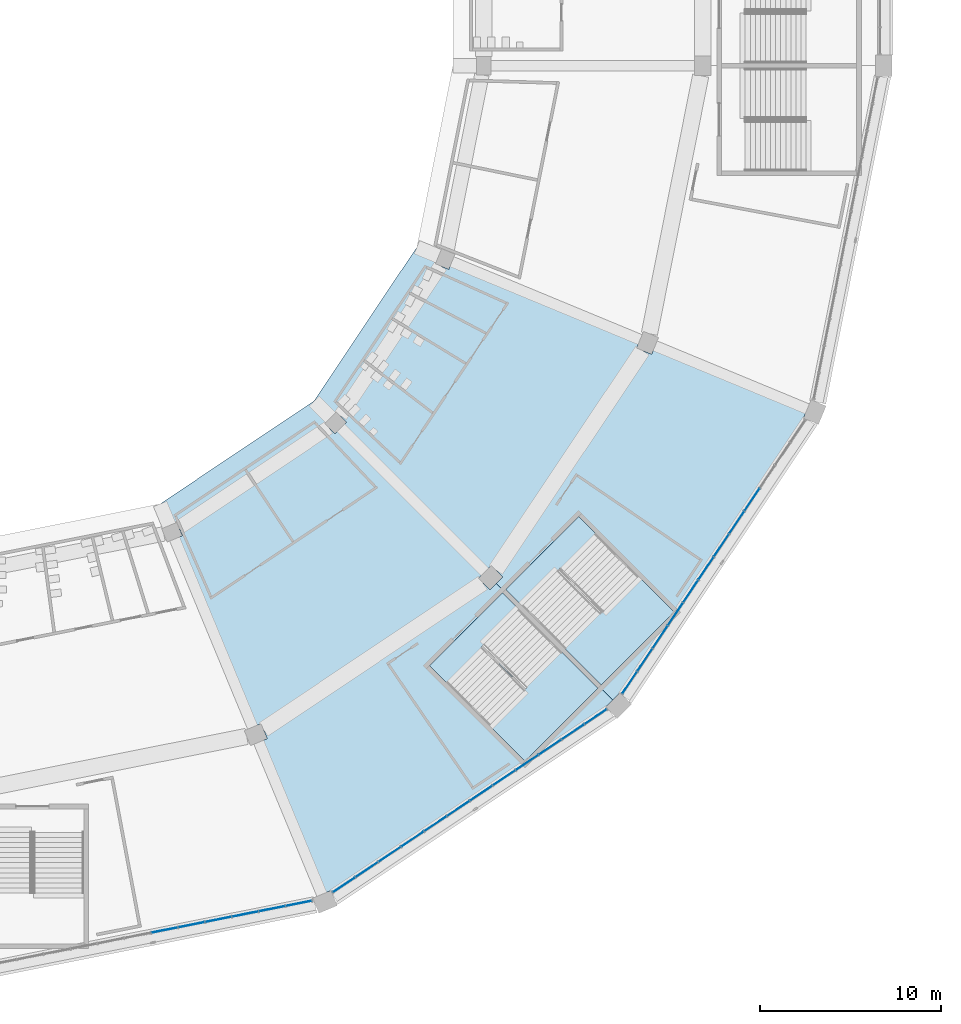
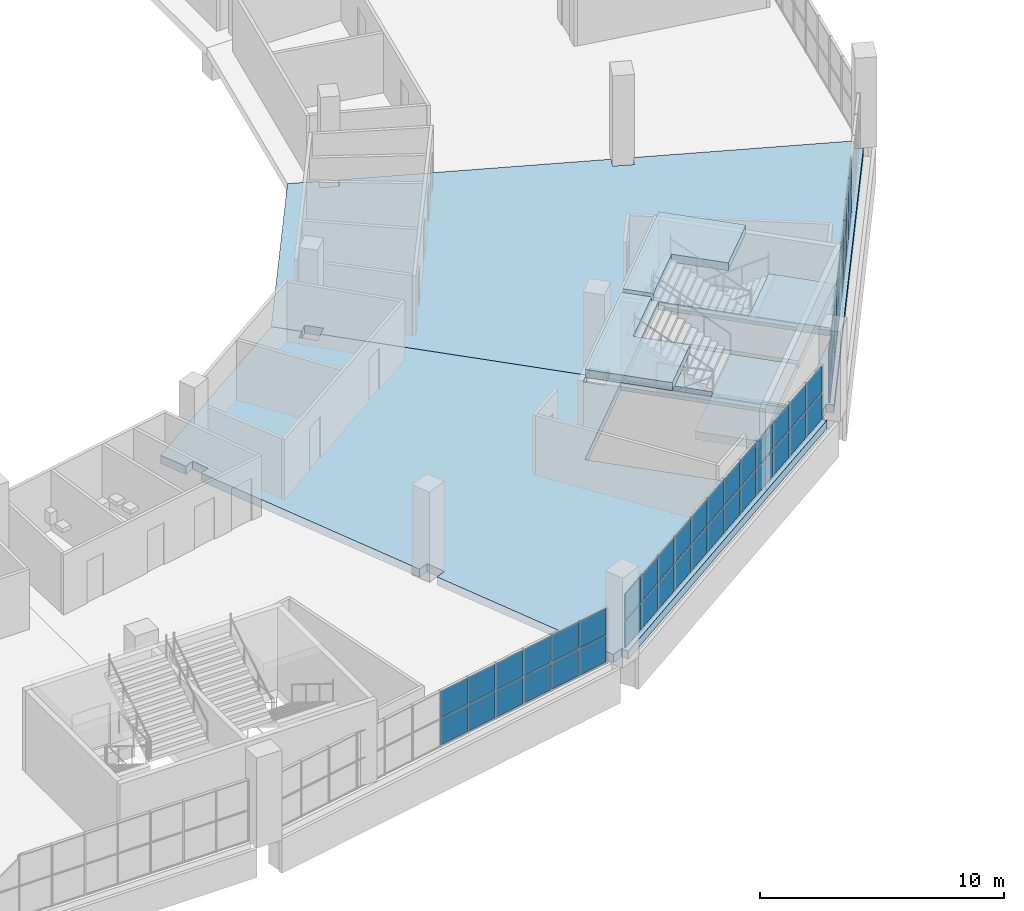
# One storey, part 63 of 199: 54 plates, 6 slabs, 5 elements without a shape of their own.
"""IFC4 building model written with IfcOpenShell, lengths in metres."""

from ifc_helpers import new_model, si_unit, direction, frame, origin, origin_2d, place, context, subcontext, project, spatial, polyline, rectangle, outline, extrude, material, layer, layer_set, type_object, element, aggregate, save


model = new_model("IFC4")

# Units and contexts
model_context = context("Model", 3, precision=1e-05, world=origin(), true_north=direction((0.0, 1.0)))
body_context = subcontext(model_context, "Body", "Model", "MODEL_VIEW")
ifc_project = project(units=[si_unit("LENGTHUNIT", "METRE"), si_unit("AREAUNIT", "SQUARE_METRE"), si_unit("VOLUMEUNIT", "CUBIC_METRE"), si_unit("PLANEANGLEUNIT", "RADIAN"), si_unit("MASSUNIT", "GRAM", prefix="KILO")], contexts=[model_context])

# Site, building, storey
site_placement = place(None, origin())
site = spatial("IfcSite", under=ifc_project, at=site_placement, CompositionType="ELEMENT")
building_placement = place(site_placement, origin())
building = spatial("IfcBuilding", under=site, at=building_placement, Name="Ogive Plaza Stadium", CompositionType="ELEMENT")
storey_placement = place(building_placement, frame((0.0, 0.0, 4.5)))
storey = spatial("IfcBuildingStorey", under=building, at=storey_placement, Name="L01", CompositionType="ELEMENT", Elevation=4.5)

# Curtain wall, plates
ifc_material_1 = material(Name="Bronze-anodised aluminium with laminated glass", Category="aluminium")
curtain_wall_type = type_object("IfcCurtainWallType", Name="Lancet curtain wall", PredefinedType="NOTDEFINED", material=ifc_material_1)
curtain_wall_1_placement = place(storey_placement, origin())
curtain_wall_1 = element("IfcCurtainWall", 1, at=curtain_wall_1_placement, inside=storey, type_object=curtain_wall_type, Name="CURTAIN WALL B09 L01", PredefinedType="NOTDEFINED")
ifc_material_2 = material(Name="Laminated glass", Category="glass")
ifc_layer_1 = layer(ifc_material_2, 0.028076171875)
ifc_layer_set_1 = layer_set([ifc_layer_1], Name="Laminated glass panel 28")
plate_type = type_object("IfcPlateType", Name="Laminated glass panel 28", PredefinedType="CURTAIN_PANEL", material=ifc_layer_set_1)
plate_1_placement = place(storey_placement, frame((76.722900390625, -76.46923828125, 0.0498046875), z_axis=(0.0, 0.0, 1.0), x_axis=(-0.55557023302, -0.831469612303, 0.0)))
plate_1 = element("IfcPlate", 2, at=plate_1_placement, type_object=plate_type, Name="CW-B09-L01 panel 4.1", PredefinedType="CURTAIN_PANEL", context=body_context, shape_type="SweptSolid", body=[
    extrude(rectangle(XDim=1.472412109375, YDim=0.028076171875, at=origin_2d()), origin(), (0.0, 0.0, 1.0), 1.320068359375),
])
plate_2_placement = place(storey_placement, frame((76.722900390625, -76.46923828125, 1.419921875), z_axis=(0.0, 0.0, 1.0), x_axis=(-0.55557023302, -0.831469612303, 0.0)))
plate_2 = element("IfcPlate", 3, at=plate_2_placement, type_object=plate_type, Name="CW-B09-L01 panel 4.2", PredefinedType="CURTAIN_PANEL", context=body_context, shape_type="SweptSolid", body=[
    extrude(rectangle(XDim=1.472412109375, YDim=0.028076171875, at=origin_2d()), origin(), (0.0, 0.0, 1.0), 1.320068359375),
])
plate_3_placement = place(storey_placement, frame((75.876953125, -77.73486328125, 0.0498046875), z_axis=(0.0, 0.0, 1.0), x_axis=(-0.55557023302, -0.831469612303, 0.0)))
plate_3 = element("IfcPlate", 4, at=plate_3_placement, type_object=plate_type, Name="CW-B09-L01 panel 5.1", PredefinedType="CURTAIN_PANEL", context=body_context, shape_type="SweptSolid", body=[
    extrude(rectangle(XDim=1.472412109375, YDim=0.028076171875, at=origin_2d()), origin(), (0.0, 0.0, 1.0), 1.320068359375),
])
plate_4_placement = place(storey_placement, frame((75.876953125, -77.73486328125, 1.419921875), z_axis=(0.0, 0.0, 1.0), x_axis=(-0.55557023302, -0.831469612303, 0.0)))
plate_4 = element("IfcPlate", 5, at=plate_4_placement, type_object=plate_type, Name="CW-B09-L01 panel 5.2", PredefinedType="CURTAIN_PANEL", context=body_context, shape_type="SweptSolid", body=[
    extrude(rectangle(XDim=1.472412109375, YDim=0.028076171875, at=origin_2d()), origin(), (0.0, 0.0, 1.0), 1.320068359375),
])
plate_5_placement = place(storey_placement, frame((75.03125, -79.000732421875, 0.0498046875), z_axis=(0.0, 0.0, 1.0), x_axis=(-0.55557023302, -0.831469612303, 0.0)))
plate_5 = element("IfcPlate", 6, at=plate_5_placement, type_object=plate_type, Name="CW-B09-L01 panel 6.1", PredefinedType="CURTAIN_PANEL", context=body_context, shape_type="SweptSolid", body=[
    extrude(rectangle(XDim=1.472412109375, YDim=0.028076171875, at=origin_2d()), origin(), (0.0, 0.0, 1.0), 1.320068359375),
])
plate_6_placement = place(storey_placement, frame((75.03125, -79.000732421875, 1.419921875), z_axis=(0.0, 0.0, 1.0), x_axis=(-0.55557023302, -0.831469612303, 0.0)))
plate_6 = element("IfcPlate", 7, at=plate_6_placement, type_object=plate_type, Name="CW-B09-L01 panel 6.2", PredefinedType="CURTAIN_PANEL", context=body_context, shape_type="SweptSolid", body=[
    extrude(rectangle(XDim=1.472412109375, YDim=0.028076171875, at=origin_2d()), origin(), (0.0, 0.0, 1.0), 1.320068359375),
])
plate_7_placement = place(storey_placement, frame((74.185546875, -80.2666015625, 0.0498046875), z_axis=(0.0, 0.0, 1.0), x_axis=(-0.55557023302, -0.831469612303, 0.0)))
plate_7 = element("IfcPlate", 8, at=plate_7_placement, type_object=plate_type, Name="CW-B09-L01 panel 7.1", PredefinedType="CURTAIN_PANEL", context=body_context, shape_type="SweptSolid", body=[
    extrude(rectangle(XDim=1.472412109375, YDim=0.028076171875, at=origin_2d()), origin(), (0.0, 0.0, 1.0), 1.320068359375),
])
plate_8_placement = place(storey_placement, frame((74.185546875, -80.2666015625, 1.419921875), z_axis=(0.0, 0.0, 1.0), x_axis=(-0.55557023302, -0.831469612303, 0.0)))
plate_8 = element("IfcPlate", 9, at=plate_8_placement, type_object=plate_type, Name="CW-B09-L01 panel 7.2", PredefinedType="CURTAIN_PANEL", context=body_context, shape_type="SweptSolid", body=[
    extrude(rectangle(XDim=1.472412109375, YDim=0.028076171875, at=origin_2d()), origin(), (0.0, 0.0, 1.0), 1.320068359375),
])
plate_9_placement = place(storey_placement, frame((73.339599609375, -81.5322265625, 0.0498046875), z_axis=(0.0, 0.0, 1.0), x_axis=(-0.55557023302, -0.831469612303, 0.0)))
plate_9 = element("IfcPlate", 10, at=plate_9_placement, type_object=plate_type, Name="CW-B09-L01 panel 8.1", PredefinedType="CURTAIN_PANEL", context=body_context, shape_type="SweptSolid", body=[
    extrude(rectangle(XDim=1.472412109375, YDim=0.028076171875, at=origin_2d()), origin(), (0.0, 0.0, 1.0), 1.320068359375),
])
plate_10_placement = place(storey_placement, frame((73.339599609375, -81.5322265625, 1.419921875), z_axis=(0.0, 0.0, 1.0), x_axis=(-0.55557023302, -0.831469612303, 0.0)))
plate_10 = element("IfcPlate", 11, at=plate_10_placement, type_object=plate_type, Name="CW-B09-L01 panel 8.2", PredefinedType="CURTAIN_PANEL", context=body_context, shape_type="SweptSolid", body=[
    extrude(rectangle(XDim=1.472412109375, YDim=0.028076171875, at=origin_2d()), origin(), (0.0, 0.0, 1.0), 1.320068359375),
])
plate_11_placement = place(storey_placement, frame((72.493896484375, -82.798095703125, 0.0498046875), z_axis=(0.0, 0.0, 1.0), x_axis=(-0.55557023302, -0.831469612303, 0.0)))
plate_11 = element("IfcPlate", 12, at=plate_11_placement, type_object=plate_type, Name="CW-B09-L01 panel 9.1", PredefinedType="CURTAIN_PANEL", context=body_context, shape_type="SweptSolid", body=[
    extrude(rectangle(XDim=1.472412109375, YDim=0.028076171875, at=origin_2d()), origin(), (0.0, 0.0, 1.0), 1.320068359375),
])
plate_12_placement = place(storey_placement, frame((72.493896484375, -82.798095703125, 1.419921875), z_axis=(0.0, 0.0, 1.0), x_axis=(-0.55557023302, -0.831469612303, 0.0)))
plate_12 = element("IfcPlate", 13, at=plate_12_placement, type_object=plate_type, Name="CW-B09-L01 panel 9.2", PredefinedType="CURTAIN_PANEL", context=body_context, shape_type="SweptSolid", body=[
    extrude(rectangle(XDim=1.472412109375, YDim=0.028076171875, at=origin_2d()), origin(), (0.0, 0.0, 1.0), 1.320068359375),
])
plate_13_placement = place(storey_placement, frame((71.648193359375, -84.06396484375, 0.0498046875), z_axis=(0.0, 0.0, 1.0), x_axis=(-0.55557023302, -0.831469612303, 0.0)))
plate_13 = element("IfcPlate", 14, at=plate_13_placement, type_object=plate_type, Name="CW-B09-L01 panel 10.1", PredefinedType="CURTAIN_PANEL", context=body_context, shape_type="SweptSolid", body=[
    extrude(rectangle(XDim=1.472412109375, YDim=0.028076171875, at=origin_2d()), origin(), (0.0, 0.0, 1.0), 1.320068359375),
])
plate_14_placement = place(storey_placement, frame((71.648193359375, -84.06396484375, 1.419921875), z_axis=(0.0, 0.0, 1.0), x_axis=(-0.55557023302, -0.831469612303, 0.0)))
plate_14 = element("IfcPlate", 15, at=plate_14_placement, type_object=plate_type, Name="CW-B09-L01 panel 10.2", PredefinedType="CURTAIN_PANEL", context=body_context, shape_type="SweptSolid", body=[
    extrude(rectangle(XDim=1.472412109375, YDim=0.028076171875, at=origin_2d()), origin(), (0.0, 0.0, 1.0), 1.320068359375),
])
plate_15_placement = place(storey_placement, frame((70.802490234375, -85.32958984375, 0.0498046875), z_axis=(0.0, 0.0, 1.0), x_axis=(-0.55557023302, -0.831469612303, 0.0)))
plate_15 = element("IfcPlate", 16, at=plate_15_placement, type_object=plate_type, Name="CW-B09-L01 panel 11.1", PredefinedType="CURTAIN_PANEL", context=body_context, shape_type="SweptSolid", body=[
    extrude(rectangle(XDim=1.472412109375, YDim=0.028076171875, at=origin_2d()), origin(), (0.0, 0.0, 1.0), 1.320068359375),
])
plate_16_placement = place(storey_placement, frame((70.802490234375, -85.32958984375, 1.419921875), z_axis=(0.0, 0.0, 1.0), x_axis=(-0.55557023302, -0.831469612303, 0.0)))
plate_16 = element("IfcPlate", 17, at=plate_16_placement, type_object=plate_type, Name="CW-B09-L01 panel 11.2", PredefinedType="CURTAIN_PANEL", context=body_context, shape_type="SweptSolid", body=[
    extrude(rectangle(XDim=1.472412109375, YDim=0.028076171875, at=origin_2d()), origin(), (0.0, 0.0, 1.0), 1.320068359375),
])
plate_17_placement = place(storey_placement, frame((69.963623046875, -86.5849609375, 0.0498046875), z_axis=(0.0, 0.0, 1.0), x_axis=(-0.55557023302, -0.831469612303, 0.0)))
plate_17 = element("IfcPlate", 18, at=plate_17_placement, type_object=plate_type, Name="CW-B09-L01 panel 12.1", PredefinedType="CURTAIN_PANEL", context=body_context, shape_type="SweptSolid", body=[
    extrude(rectangle(XDim=1.447265625, YDim=0.028076171875, at=origin_2d()), origin(), (0.0, 0.0, 1.0), 1.320068359375),
])
plate_18_placement = place(storey_placement, frame((69.963623046875, -86.5849609375, 1.419921875), z_axis=(0.0, 0.0, 1.0), x_axis=(-0.55557023302, -0.831469612303, 0.0)))
plate_18 = element("IfcPlate", 19, at=plate_18_placement, type_object=plate_type, Name="CW-B09-L01 panel 12.2", PredefinedType="CURTAIN_PANEL", context=body_context, shape_type="SweptSolid", body=[
    extrude(rectangle(XDim=1.447265625, YDim=0.028076171875, at=origin_2d()), origin(), (0.0, 0.0, 1.0), 1.320068359375),
])
aggregate(curtain_wall_1, [plate_1, plate_2, plate_3, plate_4, plate_5, plate_6, plate_7, plate_8, plate_9, plate_10, plate_11, plate_12, plate_13, plate_14, plate_15, plate_16, plate_17, plate_18])

curtain_wall_2_placement = place(storey_placement, origin())
curtain_wall_2 = element("IfcCurtainWall", 20, at=curtain_wall_2_placement, inside=storey, type_object=curtain_wall_type, Name="CURTAIN WALL B10 L01", PredefinedType="NOTDEFINED")
plate_19_placement = place(storey_placement, frame((68.0849609375, -88.463623046875, 0.0498046875), z_axis=(0.0, 0.0, 1.0), x_axis=(-0.831469612303, -0.55557023302, 0.0)))
plate_19 = element("IfcPlate", 21, at=plate_19_placement, type_object=plate_type, Name="CW-B10-L01 panel 1.1", PredefinedType="CURTAIN_PANEL", context=body_context, shape_type="SweptSolid", body=[
    extrude(rectangle(XDim=1.447265625, YDim=0.028076171875, at=origin_2d()), origin(), (0.0, 0.0, 1.0), 1.320068359375),
])
plate_20_placement = place(storey_placement, frame((68.0849609375, -88.463623046875, 1.419921875), z_axis=(0.0, 0.0, 1.0), x_axis=(-0.831469612303, -0.55557023302, 0.0)))
plate_20 = element("IfcPlate", 22, at=plate_20_placement, type_object=plate_type, Name="CW-B10-L01 panel 1.2", PredefinedType="CURTAIN_PANEL", context=body_context, shape_type="SweptSolid", body=[
    extrude(rectangle(XDim=1.447265625, YDim=0.028076171875, at=origin_2d()), origin(), (0.0, 0.0, 1.0), 1.320068359375),
])
plate_21_placement = place(storey_placement, frame((66.82958984375, -89.302490234375, 0.0498046875), z_axis=(0.0, 0.0, 1.0), x_axis=(-0.831469612303, -0.55557023302, 0.0)))
plate_21 = element("IfcPlate", 23, at=plate_21_placement, type_object=plate_type, Name="CW-B10-L01 panel 2.1", PredefinedType="CURTAIN_PANEL", context=body_context, shape_type="SweptSolid", body=[
    extrude(rectangle(XDim=1.472412109375, YDim=0.028076171875, at=origin_2d()), origin(), (0.0, 0.0, 1.0), 1.320068359375),
])
plate_22_placement = place(storey_placement, frame((66.82958984375, -89.302490234375, 1.419921875), z_axis=(0.0, 0.0, 1.0), x_axis=(-0.831469612303, -0.55557023302, 0.0)))
plate_22 = element("IfcPlate", 24, at=plate_22_placement, type_object=plate_type, Name="CW-B10-L01 panel 2.2", PredefinedType="CURTAIN_PANEL", context=body_context, shape_type="SweptSolid", body=[
    extrude(rectangle(XDim=1.472412109375, YDim=0.028076171875, at=origin_2d()), origin(), (0.0, 0.0, 1.0), 1.320068359375),
])
plate_23_placement = place(storey_placement, frame((65.56396484375, -90.148193359375, 0.0498046875), z_axis=(0.0, 0.0, 1.0), x_axis=(-0.831469612303, -0.55557023302, 0.0)))
plate_23 = element("IfcPlate", 25, at=plate_23_placement, type_object=plate_type, Name="CW-B10-L01 panel 3.1", PredefinedType="CURTAIN_PANEL", context=body_context, shape_type="SweptSolid", body=[
    extrude(rectangle(XDim=1.472412109375, YDim=0.028076171875, at=origin_2d()), origin(), (0.0, 0.0, 1.0), 1.320068359375),
])
plate_24_placement = place(storey_placement, frame((65.56396484375, -90.148193359375, 1.419921875), z_axis=(0.0, 0.0, 1.0), x_axis=(-0.831469612303, -0.55557023302, 0.0)))
plate_24 = element("IfcPlate", 26, at=plate_24_placement, type_object=plate_type, Name="CW-B10-L01 panel 3.2", PredefinedType="CURTAIN_PANEL", context=body_context, shape_type="SweptSolid", body=[
    extrude(rectangle(XDim=1.472412109375, YDim=0.028076171875, at=origin_2d()), origin(), (0.0, 0.0, 1.0), 1.320068359375),
])
plate_25_placement = place(storey_placement, frame((64.298095703125, -90.993896484375, 0.0498046875), z_axis=(0.0, 0.0, 1.0), x_axis=(-0.831469612303, -0.55557023302, 0.0)))
plate_25 = element("IfcPlate", 27, at=plate_25_placement, type_object=plate_type, Name="CW-B10-L01 panel 4.1", PredefinedType="CURTAIN_PANEL", context=body_context, shape_type="SweptSolid", body=[
    extrude(rectangle(XDim=1.472412109375, YDim=0.028076171875, at=origin_2d()), origin(), (0.0, 0.0, 1.0), 1.320068359375),
])
plate_26_placement = place(storey_placement, frame((64.298095703125, -90.993896484375, 1.419921875), z_axis=(0.0, 0.0, 1.0), x_axis=(-0.831469612303, -0.55557023302, 0.0)))
plate_26 = element("IfcPlate", 28, at=plate_26_placement, type_object=plate_type, Name="CW-B10-L01 panel 4.2", PredefinedType="CURTAIN_PANEL", context=body_context, shape_type="SweptSolid", body=[
    extrude(rectangle(XDim=1.472412109375, YDim=0.028076171875, at=origin_2d()), origin(), (0.0, 0.0, 1.0), 1.320068359375),
])
plate_27_placement = place(storey_placement, frame((63.0322265625, -91.839599609375, 0.0498046875), z_axis=(0.0, 0.0, 1.0), x_axis=(-0.831469612303, -0.55557023302, 0.0)))
plate_27 = element("IfcPlate", 29, at=plate_27_placement, type_object=plate_type, Name="CW-B10-L01 panel 5.1", PredefinedType="CURTAIN_PANEL", context=body_context, shape_type="SweptSolid", body=[
    extrude(rectangle(XDim=1.472412109375, YDim=0.028076171875, at=origin_2d()), origin(), (0.0, 0.0, 1.0), 1.320068359375),
])
plate_28_placement = place(storey_placement, frame((63.0322265625, -91.839599609375, 1.419921875), z_axis=(0.0, 0.0, 1.0), x_axis=(-0.831469612303, -0.55557023302, 0.0)))
plate_28 = element("IfcPlate", 30, at=plate_28_placement, type_object=plate_type, Name="CW-B10-L01 panel 5.2", PredefinedType="CURTAIN_PANEL", context=body_context, shape_type="SweptSolid", body=[
    extrude(rectangle(XDim=1.472412109375, YDim=0.028076171875, at=origin_2d()), origin(), (0.0, 0.0, 1.0), 1.320068359375),
])
plate_29_placement = place(storey_placement, frame((61.7666015625, -92.685546875, 0.0498046875), z_axis=(0.0, 0.0, 1.0), x_axis=(-0.831469612303, -0.55557023302, 0.0)))
plate_29 = element("IfcPlate", 31, at=plate_29_placement, type_object=plate_type, Name="CW-B10-L01 panel 6.1", PredefinedType="CURTAIN_PANEL", context=body_context, shape_type="SweptSolid", body=[
    extrude(rectangle(XDim=1.472412109375, YDim=0.028076171875, at=origin_2d()), origin(), (0.0, 0.0, 1.0), 1.320068359375),
])
plate_30_placement = place(storey_placement, frame((61.7666015625, -92.685546875, 1.419921875), z_axis=(0.0, 0.0, 1.0), x_axis=(-0.831469612303, -0.55557023302, 0.0)))
plate_30 = element("IfcPlate", 32, at=plate_30_placement, type_object=plate_type, Name="CW-B10-L01 panel 6.2", PredefinedType="CURTAIN_PANEL", context=body_context, shape_type="SweptSolid", body=[
    extrude(rectangle(XDim=1.472412109375, YDim=0.028076171875, at=origin_2d()), origin(), (0.0, 0.0, 1.0), 1.320068359375),
])
plate_31_placement = place(storey_placement, frame((60.500732421875, -93.53125, 0.0498046875), z_axis=(0.0, 0.0, 1.0), x_axis=(-0.831469612303, -0.55557023302, 0.0)))
plate_31 = element("IfcPlate", 33, at=plate_31_placement, type_object=plate_type, Name="CW-B10-L01 panel 7.1", PredefinedType="CURTAIN_PANEL", context=body_context, shape_type="SweptSolid", body=[
    extrude(rectangle(XDim=1.472412109375, YDim=0.028076171875, at=origin_2d()), origin(), (0.0, 0.0, 1.0), 1.320068359375),
])
plate_32_placement = place(storey_placement, frame((60.500732421875, -93.53125, 1.419921875), z_axis=(0.0, 0.0, 1.0), x_axis=(-0.831469612303, -0.55557023302, 0.0)))
plate_32 = element("IfcPlate", 34, at=plate_32_placement, type_object=plate_type, Name="CW-B10-L01 panel 7.2", PredefinedType="CURTAIN_PANEL", context=body_context, shape_type="SweptSolid", body=[
    extrude(rectangle(XDim=1.472412109375, YDim=0.028076171875, at=origin_2d()), origin(), (0.0, 0.0, 1.0), 1.320068359375),
])
plate_33_placement = place(storey_placement, frame((59.23486328125, -94.376953125, 0.0498046875), z_axis=(0.0, 0.0, 1.0), x_axis=(-0.831469612303, -0.55557023302, 0.0)))
plate_33 = element("IfcPlate", 35, at=plate_33_placement, type_object=plate_type, Name="CW-B10-L01 panel 8.1", PredefinedType="CURTAIN_PANEL", context=body_context, shape_type="SweptSolid", body=[
    extrude(rectangle(XDim=1.472412109375, YDim=0.028076171875, at=origin_2d()), origin(), (0.0, 0.0, 1.0), 1.320068359375),
])
plate_34_placement = place(storey_placement, frame((59.23486328125, -94.376953125, 1.419921875), z_axis=(0.0, 0.0, 1.0), x_axis=(-0.831469612303, -0.55557023302, 0.0)))
plate_34 = element("IfcPlate", 36, at=plate_34_placement, type_object=plate_type, Name="CW-B10-L01 panel 8.2", PredefinedType="CURTAIN_PANEL", context=body_context, shape_type="SweptSolid", body=[
    extrude(rectangle(XDim=1.472412109375, YDim=0.028076171875, at=origin_2d()), origin(), (0.0, 0.0, 1.0), 1.320068359375),
])
plate_35_placement = place(storey_placement, frame((57.96923828125, -95.222900390625, 0.0498046875), z_axis=(0.0, 0.0, 1.0), x_axis=(-0.831469612303, -0.55557023302, 0.0)))
plate_35 = element("IfcPlate", 37, at=plate_35_placement, type_object=plate_type, Name="CW-B10-L01 panel 9.1", PredefinedType="CURTAIN_PANEL", context=body_context, shape_type="SweptSolid", body=[
    extrude(rectangle(XDim=1.472412109375, YDim=0.028076171875, at=origin_2d()), origin(), (0.0, 0.0, 1.0), 1.320068359375),
])
plate_36_placement = place(storey_placement, frame((57.96923828125, -95.222900390625, 1.419921875), z_axis=(0.0, 0.0, 1.0), x_axis=(-0.831469612303, -0.55557023302, 0.0)))
plate_36 = element("IfcPlate", 38, at=plate_36_placement, type_object=plate_type, Name="CW-B10-L01 panel 9.2", PredefinedType="CURTAIN_PANEL", context=body_context, shape_type="SweptSolid", body=[
    extrude(rectangle(XDim=1.472412109375, YDim=0.028076171875, at=origin_2d()), origin(), (0.0, 0.0, 1.0), 1.320068359375),
])
plate_37_placement = place(storey_placement, frame((56.703369140625, -96.068603515625, 0.0498046875), z_axis=(0.0, 0.0, 1.0), x_axis=(-0.831469612303, -0.55557023302, 0.0)))
plate_37 = element("IfcPlate", 39, at=plate_37_placement, type_object=plate_type, Name="CW-B10-L01 panel 10.1", PredefinedType="CURTAIN_PANEL", context=body_context, shape_type="SweptSolid", body=[
    extrude(rectangle(XDim=1.472412109375, YDim=0.028076171875, at=origin_2d()), origin(), (0.0, 0.0, 1.0), 1.320068359375),
])
plate_38_placement = place(storey_placement, frame((56.703369140625, -96.068603515625, 1.419921875), z_axis=(0.0, 0.0, 1.0), x_axis=(-0.831469612303, -0.55557023302, 0.0)))
plate_38 = element("IfcPlate", 40, at=plate_38_placement, type_object=plate_type, Name="CW-B10-L01 panel 10.2", PredefinedType="CURTAIN_PANEL", context=body_context, shape_type="SweptSolid", body=[
    extrude(rectangle(XDim=1.472412109375, YDim=0.028076171875, at=origin_2d()), origin(), (0.0, 0.0, 1.0), 1.320068359375),
])
plate_39_placement = place(storey_placement, frame((55.4375, -96.914306640625, 0.0498046875), z_axis=(0.0, 0.0, 1.0), x_axis=(-0.831469612303, -0.55557023302, 0.0)))
plate_39 = element("IfcPlate", 41, at=plate_39_placement, type_object=plate_type, Name="CW-B10-L01 panel 11.1", PredefinedType="CURTAIN_PANEL", context=body_context, shape_type="SweptSolid", body=[
    extrude(rectangle(XDim=1.472412109375, YDim=0.028076171875, at=origin_2d()), origin(), (0.0, 0.0, 1.0), 1.320068359375),
])
plate_40_placement = place(storey_placement, frame((55.4375, -96.914306640625, 1.419921875), z_axis=(0.0, 0.0, 1.0), x_axis=(-0.831469612303, -0.55557023302, 0.0)))
plate_40 = element("IfcPlate", 42, at=plate_40_placement, type_object=plate_type, Name="CW-B10-L01 panel 11.2", PredefinedType="CURTAIN_PANEL", context=body_context, shape_type="SweptSolid", body=[
    extrude(rectangle(XDim=1.472412109375, YDim=0.028076171875, at=origin_2d()), origin(), (0.0, 0.0, 1.0), 1.320068359375),
])
plate_41_placement = place(storey_placement, frame((54.18212890625, -97.753173828125, 0.0498046875), z_axis=(0.0, 0.0, 1.0), x_axis=(-0.831469612303, -0.55557023302, 0.0)))
plate_41 = element("IfcPlate", 43, at=plate_41_placement, type_object=plate_type, Name="CW-B10-L01 panel 12.1", PredefinedType="CURTAIN_PANEL", context=body_context, shape_type="SweptSolid", body=[
    extrude(rectangle(XDim=1.447265625, YDim=0.028076171875, at=origin_2d()), origin(), (0.0, 0.0, 1.0), 1.320068359375),
])
plate_42_placement = place(storey_placement, frame((54.18212890625, -97.753173828125, 1.419921875), z_axis=(0.0, 0.0, 1.0), x_axis=(-0.831469612303, -0.55557023302, 0.0)))
plate_42 = element("IfcPlate", 44, at=plate_42_placement, type_object=plate_type, Name="CW-B10-L01 panel 12.2", PredefinedType="CURTAIN_PANEL", context=body_context, shape_type="SweptSolid", body=[
    extrude(rectangle(XDim=1.447265625, YDim=0.028076171875, at=origin_2d()), origin(), (0.0, 0.0, 1.0), 1.320068359375),
])
aggregate(curtain_wall_2, [plate_19, plate_20, plate_21, plate_22, plate_23, plate_24, plate_25, plate_26, plate_27, plate_28, plate_29, plate_30, plate_31, plate_32, plate_33, plate_34, plate_35, plate_36, plate_37, plate_38, plate_39, plate_40, plate_41, plate_42])

curtain_wall_3_placement = place(storey_placement, origin())
curtain_wall_3 = element("IfcCurtainWall", 45, at=curtain_wall_3_placement, inside=storey, type_object=curtain_wall_type, Name="CURTAIN WALL B11 L01", PredefinedType="NOTDEFINED")
plate_43_placement = place(storey_placement, frame((51.681884765625, -98.77880859375, 0.0498046875), z_axis=(0.0, 0.0, 1.0), x_axis=(-0.980785280403, -0.195090322016, 0.0)))
plate_43 = element("IfcPlate", 46, at=plate_43_placement, type_object=plate_type, Name="CW-B11-L01 panel 1.1", PredefinedType="CURTAIN_PANEL", context=body_context, shape_type="SweptSolid", body=[
    extrude(rectangle(XDim=1.43896484375, YDim=0.028076171875, at=origin_2d()), origin(), (0.0, 0.0, 1.0), 1.320068359375),
])
plate_44_placement = place(storey_placement, frame((51.681884765625, -98.77880859375, 1.419921875), z_axis=(0.0, 0.0, 1.0), x_axis=(-0.980785280403, -0.195090322016, 0.0)))
plate_44 = element("IfcPlate", 47, at=plate_44_placement, type_object=plate_type, Name="CW-B11-L01 panel 1.2", PredefinedType="CURTAIN_PANEL", context=body_context, shape_type="SweptSolid", body=[
    extrude(rectangle(XDim=1.43896484375, YDim=0.028076171875, at=origin_2d()), origin(), (0.0, 0.0, 1.0), 1.320068359375),
])
plate_45_placement = place(storey_placement, frame((50.20947265625, -99.07177734375, 0.0498046875), z_axis=(0.0, 0.0, 1.0), x_axis=(-0.980785280403, -0.195090322016, 0.0)))
plate_45 = element("IfcPlate", 48, at=plate_45_placement, type_object=plate_type, Name="CW-B11-L01 panel 2.1", PredefinedType="CURTAIN_PANEL", context=body_context, shape_type="SweptSolid", body=[
    extrude(rectangle(XDim=1.4638671875, YDim=0.028076171875, at=origin_2d()), origin(), (0.0, 0.0, 1.0), 1.320068359375),
])
plate_46_placement = place(storey_placement, frame((50.20947265625, -99.07177734375, 1.419921875), z_axis=(0.0, 0.0, 1.0), x_axis=(-0.980785280403, -0.195090322016, 0.0)))
plate_46 = element("IfcPlate", 49, at=plate_46_placement, type_object=plate_type, Name="CW-B11-L01 panel 2.2", PredefinedType="CURTAIN_PANEL", context=body_context, shape_type="SweptSolid", body=[
    extrude(rectangle(XDim=1.4638671875, YDim=0.028076171875, at=origin_2d()), origin(), (0.0, 0.0, 1.0), 1.320068359375),
])
plate_47_placement = place(storey_placement, frame((48.724609375, -99.3671875, 0.0498046875), z_axis=(0.0, 0.0, 1.0), x_axis=(-0.980785280403, -0.195090322016, 0.0)))
plate_47 = element("IfcPlate", 50, at=plate_47_placement, type_object=plate_type, Name="CW-B11-L01 panel 3.1", PredefinedType="CURTAIN_PANEL", context=body_context, shape_type="SweptSolid", body=[
    extrude(rectangle(XDim=1.4638671875, YDim=0.028076171875, at=origin_2d()), origin(), (0.0, 0.0, 1.0), 1.320068359375),
])
plate_48_placement = place(storey_placement, frame((48.724609375, -99.3671875, 1.419921875), z_axis=(0.0, 0.0, 1.0), x_axis=(-0.980785280403, -0.195090322016, 0.0)))
plate_48 = element("IfcPlate", 51, at=plate_48_placement, type_object=plate_type, Name="CW-B11-L01 panel 3.2", PredefinedType="CURTAIN_PANEL", context=body_context, shape_type="SweptSolid", body=[
    extrude(rectangle(XDim=1.4638671875, YDim=0.028076171875, at=origin_2d()), origin(), (0.0, 0.0, 1.0), 1.320068359375),
])
plate_49_placement = place(storey_placement, frame((47.239990234375, -99.66259765625, 0.0498046875), z_axis=(0.0, 0.0, 1.0), x_axis=(-0.980785280403, -0.195090322016, 0.0)))
plate_49 = element("IfcPlate", 52, at=plate_49_placement, type_object=plate_type, Name="CW-B11-L01 panel 4.1", PredefinedType="CURTAIN_PANEL", context=body_context, shape_type="SweptSolid", body=[
    extrude(rectangle(XDim=1.4638671875, YDim=0.028076171875, at=origin_2d()), origin(), (0.0, 0.0, 1.0), 1.320068359375),
])
plate_50_placement = place(storey_placement, frame((47.239990234375, -99.66259765625, 1.419921875), z_axis=(0.0, 0.0, 1.0), x_axis=(-0.980785280403, -0.195090322016, 0.0)))
plate_50 = element("IfcPlate", 53, at=plate_50_placement, type_object=plate_type, Name="CW-B11-L01 panel 4.2", PredefinedType="CURTAIN_PANEL", context=body_context, shape_type="SweptSolid", body=[
    extrude(rectangle(XDim=1.4638671875, YDim=0.028076171875, at=origin_2d()), origin(), (0.0, 0.0, 1.0), 1.320068359375),
])
plate_51_placement = place(storey_placement, frame((45.755126953125, -99.957763671875, 0.0498046875), z_axis=(0.0, 0.0, 1.0), x_axis=(-0.980785280403, -0.195090322016, 0.0)))
plate_51 = element("IfcPlate", 54, at=plate_51_placement, type_object=plate_type, Name="CW-B11-L01 panel 5.1", PredefinedType="CURTAIN_PANEL", context=body_context, shape_type="SweptSolid", body=[
    extrude(rectangle(XDim=1.4638671875, YDim=0.028076171875, at=origin_2d()), origin(), (0.0, 0.0, 1.0), 1.320068359375),
])
plate_52_placement = place(storey_placement, frame((45.755126953125, -99.957763671875, 1.419921875), z_axis=(0.0, 0.0, 1.0), x_axis=(-0.980785280403, -0.195090322016, 0.0)))
plate_52 = element("IfcPlate", 55, at=plate_52_placement, type_object=plate_type, Name="CW-B11-L01 panel 5.2", PredefinedType="CURTAIN_PANEL", context=body_context, shape_type="SweptSolid", body=[
    extrude(rectangle(XDim=1.4638671875, YDim=0.028076171875, at=origin_2d()), origin(), (0.0, 0.0, 1.0), 1.320068359375),
])
plate_53_placement = place(storey_placement, frame((44.2705078125, -100.253173828125, 0.0498046875), z_axis=(0.0, 0.0, 1.0), x_axis=(-0.980785280403, -0.195090322016, 0.0)))
plate_53 = element("IfcPlate", 56, at=plate_53_placement, type_object=plate_type, Name="CW-B11-L01 panel 6.1", PredefinedType="CURTAIN_PANEL", context=body_context, shape_type="SweptSolid", body=[
    extrude(rectangle(XDim=1.4638671875, YDim=0.028076171875, at=origin_2d()), origin(), (0.0, 0.0, 1.0), 1.320068359375),
])
plate_54_placement = place(storey_placement, frame((44.2705078125, -100.253173828125, 1.419921875), z_axis=(0.0, 0.0, 1.0), x_axis=(-0.980785280403, -0.195090322016, 0.0)))
plate_54 = element("IfcPlate", 57, at=plate_54_placement, type_object=plate_type, Name="CW-B11-L01 panel 6.2", PredefinedType="CURTAIN_PANEL", context=body_context, shape_type="SweptSolid", body=[
    extrude(rectangle(XDim=1.4638671875, YDim=0.028076171875, at=origin_2d()), origin(), (0.0, 0.0, 1.0), 1.320068359375),
])
aggregate(curtain_wall_3, [plate_43, plate_44, plate_45, plate_46, plate_47, plate_48, plate_49, plate_50, plate_51, plate_52, plate_53, plate_54])

# Slabs
ifc_material_3 = material(Name="Concrete C40/50", Category="concrete")
ifc_layer_2 = layer(ifc_material_3, 0.409912109375)
ifc_layer_set_2 = layer_set([ifc_layer_2], Name="Concrete C40/50")
slab_type_1 = type_object("IfcSlabType", Name="RC floor slab 410", PredefinedType="FLOOR", material=ifc_layer_set_2)
slab_1_placement = place(storey_placement, frame((0.0, 0.0, -0.409912109375)))
element("IfcSlab", 58, at=slab_1_placement, inside=storey, type_object=slab_type_1, Name="Floor slab L01 B09", PredefinedType="FLOOR", context=body_context, shape_type="SweptSolid", body=[
    extrude(outline(polyline([(53.445556640625, -71.945556640625), (53.763671875, -71.627197265625), (54.329345703125, -72.19287109375), (54.01123046875, -72.51123046875), (61.966064453125, -80.466064453125), (62.319580078125, -80.112548828125), (62.9560546875, -80.7490234375), (62.6025390625, -81.1025390625), (69.037109375, -87.537109375), (69.426025390625, -87.148193359375), (69.6669921875, -87.38916015625), (79.88232421875, -72.100341796875), (79.56787109375, -71.97021484375), (79.7783203125, -71.4619140625), (71.370849609375, -67.9794921875), (71.1796875, -68.44140625), (70.34814453125, -68.09716796875), (70.53955078125, -67.635009765625), (60.145751953125, -63.329833984375), (59.9736328125, -63.74560546875), (59.234375, -63.439453125), (59.40673828125, -63.023681640625), (58.20556640625, -62.5263671875), (52.526123046875, -71.026123046875), (53.445556640625, -71.945556640625)]), holes=[polyline([(67.145751953125, -77.40771484375), (63.115234375, -81.438232421875), (68.39013671875, -86.71337890625), (72.420654296875, -82.682861328125), (67.145751953125, -77.40771484375)])]), origin(), (0.0, 0.0, 1.0), 0.409912109375),
])
slab_2_placement = place(storey_placement, frame((0.0, 0.0, -0.409912109375)))
element("IfcSlab", 59, at=slab_2_placement, inside=storey, type_object=slab_type_1, Name="Floor slab L01 B10", PredefinedType="FLOOR", context=body_context, shape_type="SweptSolid", body=[
    extrude(outline(polyline([(44.523681640625, -77.90673828125), (44.939453125, -77.734375), (45.24560546875, -78.4736328125), (44.829833984375, -78.645751953125), (49.135009765625, -89.03955078125), (49.59716796875, -88.84814453125), (49.94140625, -89.6796875), (49.4794921875, -89.870849609375), (52.9619140625, -98.2783203125), (53.47021484375, -98.06787109375), (53.600341796875, -98.38232421875), (68.88916015625, -88.1669921875), (68.648193359375, -87.926025390625), (69.037109375, -87.537109375), (62.6025390625, -81.1025390625), (62.2490234375, -81.4560546875), (61.612548828125, -80.819580078125), (61.966064453125, -80.466064453125), (54.01123046875, -72.51123046875), (53.69287109375, -72.829345703125), (53.127197265625, -72.263671875), (53.445556640625, -71.945556640625), (52.526123046875, -71.026123046875), (44.0263671875, -76.70556640625), (44.523681640625, -77.90673828125)]), holes=[polyline([(62.938232421875, -81.615234375), (58.90771484375, -85.645751953125), (64.182861328125, -90.920654296875), (68.21337890625, -86.89013671875), (62.938232421875, -81.615234375)])]), origin(), (0.0, 0.0, 1.0), 0.409912109375),
])

# Stair, slabs
ifc_material_4 = material(Name="Concrete C40/50", Category="concrete")
stair_type = type_object("IfcStairType", Name="Exit stair", PredefinedType="STRAIGHT_RUN_STAIR", material=ifc_material_4)
stair_1_placement = place(storey_placement, origin())
stair_1 = element("IfcStair", 60, at=stair_1_placement, inside=storey, type_object=stair_type, Name="Exit stair ST10A L01 to L02", PredefinedType="STRAIGHT_RUN_STAIR")
ifc_material_5 = material(Name="Concrete C40/50", Category="concrete")
ifc_layer_3 = layer(ifc_material_5, 0.39990234375)
ifc_layer_set_3 = layer_set([ifc_layer_3], Name="Concrete C40/50")
slab_type_2 = type_object("IfcSlabType", Name="Stair landing", PredefinedType="LANDING", material=ifc_layer_set_3)
slab_3_placement = place(storey_placement, frame((0.0, 0.0, 1.85009765625)))
slab_3 = element("IfcSlab", 61, at=slab_3_placement, type_object=slab_type_2, Name="ST10A landing 1", PredefinedType="LANDING", context=body_context, shape_type="SweptSolid", body=[
    extrude(outline(polyline([(68.21337890625, -86.89013671875), (64.182861328125, -90.920654296875), (62.202880859375, -88.940673828125), (64.253662109375, -86.89013671875), (62.556396484375, -85.193115234375), (64.536376953125, -83.213134765625), (66.2333984375, -84.91015625), (68.21337890625, -86.89013671875)])), origin(), (0.0, 0.0, 1.0), 0.39990234375),
])
slab_4_placement = place(storey_placement, frame((0.0, 0.0, 4.10009765625)))
slab_4 = element("IfcSlab", 62, at=slab_4_placement, type_object=slab_type_2, Name="ST10A landing 2", PredefinedType="LANDING", context=body_context, shape_type="SweptSolid", body=[
    extrude(outline(polyline([(63.504150390625, -86.281982421875), (61.524169921875, -88.261962890625), (59.8271484375, -86.56494140625), (58.90771484375, -85.645751953125), (62.938232421875, -81.615234375), (63.857666015625, -82.534423828125), (61.806884765625, -84.5849609375), (63.504150390625, -86.281982421875)])), origin(), (0.0, 0.0, 1.0), 0.39990234375),
])
aggregate(stair_1, [slab_3, slab_4])

stair_2_placement = place(storey_placement, origin())
stair_2 = element("IfcStair", 63, at=stair_2_placement, inside=storey, type_object=stair_type, Name="Exit stair ST10B L01 to L02", PredefinedType="STRAIGHT_RUN_STAIR")
slab_5_placement = place(storey_placement, frame((0.0, 0.0, 1.85009765625)))
slab_5 = element("IfcSlab", 64, at=slab_5_placement, type_object=slab_type_2, Name="ST10B landing 1", PredefinedType="LANDING", context=body_context, shape_type="SweptSolid", body=[
    extrude(outline(polyline([(64.713134765625, -83.036376953125), (66.693115234375, -81.056396484375), (68.39013671875, -82.753662109375), (70.440673828125, -80.702880859375), (72.420654296875, -82.682861328125), (68.39013671875, -86.71337890625), (66.41015625, -84.7333984375), (64.713134765625, -83.036376953125)])), origin(), (0.0, 0.0, 1.0), 0.39990234375),
])
slab_6_placement = place(storey_placement, frame((0.0, 0.0, 4.10009765625)))
slab_6 = element("IfcSlab", 65, at=slab_6_placement, type_object=slab_type_2, Name="ST10B landing 2", PredefinedType="LANDING", context=body_context, shape_type="SweptSolid", body=[
    extrude(outline(polyline([(64.034423828125, -82.357666015625), (63.115234375, -81.438232421875), (67.145751953125, -77.40771484375), (68.06494140625, -78.3271484375), (69.761962890625, -80.024169921875), (67.781982421875, -82.004150390625), (66.0849609375, -80.306884765625), (64.034423828125, -82.357666015625)])), origin(), (0.0, 0.0, 1.0), 0.39990234375),
])
aggregate(stair_2, [slab_5, slab_6])

save(model, "model.ifc")
